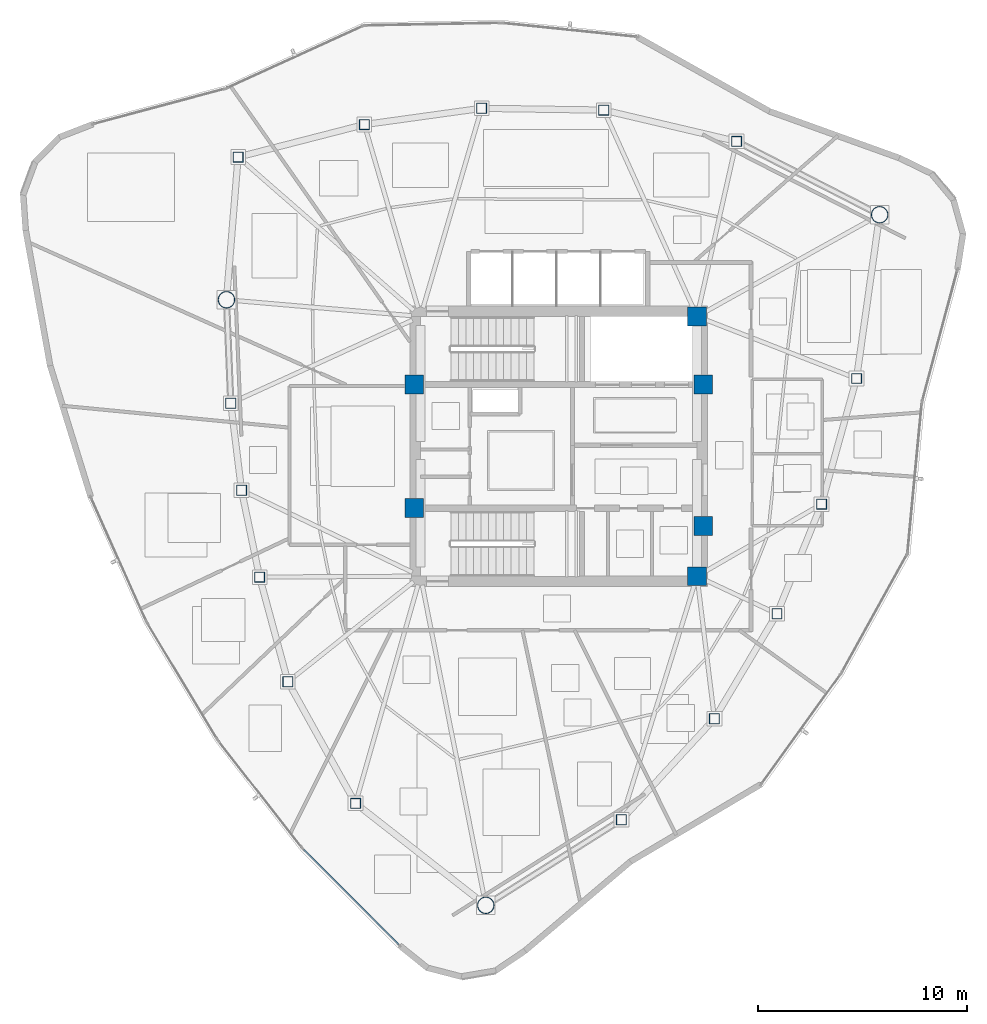
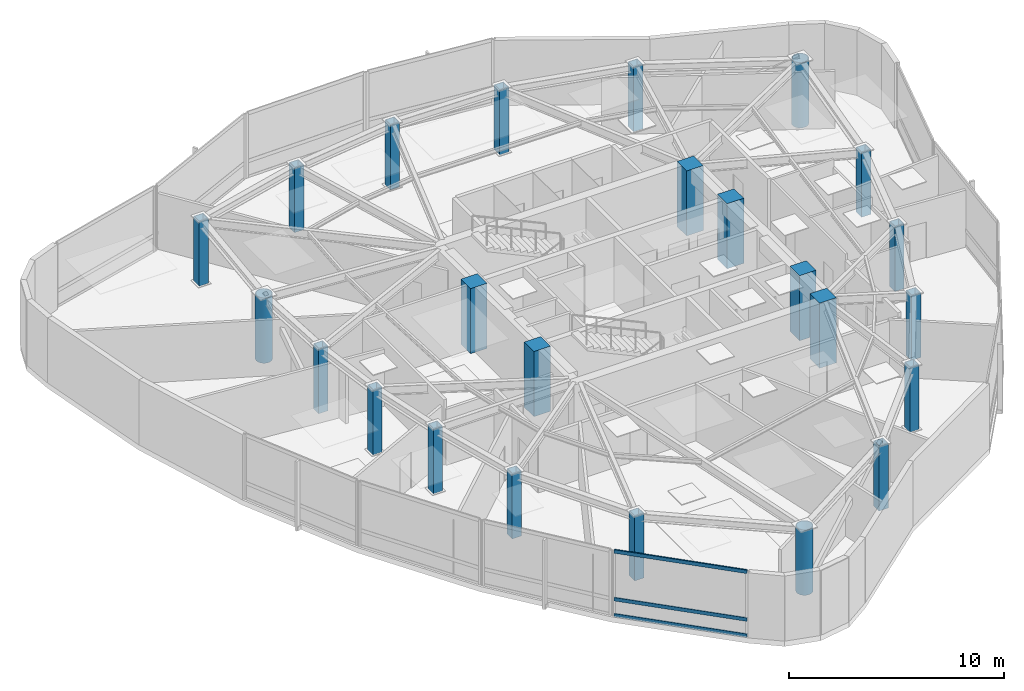
# One storey, part 1 of 12: 24 columns, 3 members, 1 element without a shape of its own.
"""IFC4 building model written with IfcOpenShell, lengths in metres."""

from ifc_helpers import new_model, si_unit, direction, frame, origin, origin_2d, place, context, subcontext, project, spatial, rectangle, hollow_rectangle, hollow_circle, extrude, source, transform, mapped, material, layer, layer_set, material_profile, profile_set, type_object, type_shapes, element, aggregate, save


model = new_model("IFC4")

# Units and contexts
model_context = context("Model", 3, precision=1e-05, world=origin(), true_north=direction((0.0, 1.0)))
body_context = subcontext(model_context, "Body", "Model", "MODEL_VIEW")
ifc_project = project(units=[si_unit("LENGTHUNIT", "METRE"), si_unit("AREAUNIT", "SQUARE_METRE"), si_unit("VOLUMEUNIT", "CUBIC_METRE"), si_unit("PLANEANGLEUNIT", "RADIAN"), si_unit("MASSUNIT", "GRAM", prefix="KILO")], contexts=[model_context])

# Site, building, storey
site_placement = place(None, origin())
site = spatial("IfcSite", under=ifc_project, at=site_placement, CompositionType="ELEMENT")
building_placement = place(site_placement, origin())
building = spatial("IfcBuilding", under=site, at=building_placement, Name="Tavelor Broadcast Tower", CompositionType="ELEMENT")
storey_placement = place(building_placement, frame((0.0, 0.0, 285.5)))
storey = spatial("IfcBuildingStorey", under=building, at=storey_placement, Name="L68", CompositionType="ELEMENT", Elevation=285.5)

# Columns
ifc_material_1 = material(Name="Concrete C50/60", Category="concrete")
ifc_material_profile_1 = material_profile(ifc_material_1, rectangle(XDim=0.89990234375, YDim=0.89990234375, at=origin_2d()), Name="RC 900x900")
ifc_profile_set_1 = profile_set([ifc_material_profile_1], Name="Concrete C50/60")
column_type_1 = type_object("IfcColumnType", Name="Core Embedded Composite Column RC900", PredefinedType="COLUMN", material=ifc_profile_set_1)
for number, where, z_axis, x_axis, name in (
    (1, (43.10009765625, 47.949951171875, 0.0), (0.0, 0.0, 1.0), (1.0, 0.0, 0.0), "L68 Core Embedded Column 1"),
    (2, (56.89990234375, 47.949951171875, 0.0), (0.0, 0.0, 1.0), (1.0, 0.0, 0.0), "L68 Core Embedded Column 2"),
    (3, (56.60009765625, 51.199951171875, 0.0), (0.0, 0.0, 1.0), (1.0, 0.0, 0.0), "L68 Core Embedded Column 3"),
    (4, (43.10009765625, 42.050048828125, 0.0), (0.0, 0.0, 1.0), (1.0, 0.0, 0.0), "L68 Core Embedded Column 4"),
    (5, (56.89990234375, 41.199951171875, 0.0), (0.0, 0.0, 1.0), (1.0, 0.0, 0.0), "L68 Core Embedded Column 5"),
    (6, (56.60009765625, 38.800048828125, 0.0), (0.0, 0.0, 1.0), (1.0, 0.0, 0.0), "L68 Core Embedded Column 6"),
):
    element("IfcColumn", number, at=place(storey_placement, frame(where, z_axis=z_axis, x_axis=x_axis)), inside=storey, type_object=column_type_1, Name=name, PredefinedType="COLUMN", context=body_context, shape_type="SweptSolid", body=[
        extrude(rectangle(XDim=0.89990234375, YDim=0.89990234375, at=origin_2d()), origin(), (0.0, 0.0, 1.0), 3.699951171875),
    ])
ifc_material_2 = material(Name="Steel S460", Category="steel")
ifc_material_profile_2 = material_profile(ifc_material_2, hollow_rectangle(XDim=0.5, YDim=0.5, WallThickness=0.030029296875, at=origin_2d()), Name="SHS 500x500x30")
ifc_profile_set_2 = profile_set([ifc_material_profile_2], Name="Steel S460")
column_type_2 = type_object("IfcColumnType", Name="Perimeter Tube Column T7 SHS 500x500x30", PredefinedType="COLUMN", material=ifc_profile_set_2)
for number, where, z_axis, x_axis, name in (
    (7, (34.341552734375, 47.061279296875, 0.0), (0.0, 0.0, 1.0), (1.0, 0.0, 0.0), "L68 Perimeter Framed-Tube Column 02"),
    (8, (34.85400390625, 42.90185546875, 0.0), (0.0, 0.0, 1.0), (1.0, 0.0, 0.0), "L68 Perimeter Framed-Tube Column 03"),
    (9, (35.716552734375, 38.757080078125, 0.0), (0.0, 0.0, 1.0), (1.0, 0.0, 0.0), "L68 Perimeter Framed-Tube Column 04"),
    (10, (37.068115234375, 33.759521484375, 0.0), (0.0, 0.0, 1.0), (1.0, 0.0, 0.0), "L68 Perimeter Framed-Tube Column 05"),
    (11, (40.29638671875, 27.95361328125, 0.0), (0.0, 0.0, 1.0), (1.0, 0.0, 0.0), "L68 Perimeter Framed-Tube Column 06"),
    (12, (52.992919921875, 27.1767578125, 0.0), (0.0, 0.0, 1.0), (1.0, 0.0, 0.0), "L68 Perimeter Framed-Tube Column 08"),
    (13, (57.431396484375, 31.9921875, 0.0), (0.0, 0.0, 1.0), (1.0, 0.0, 0.0), "L68 Perimeter Framed-Tube Column 09"),
    (14, (60.41748046875, 37.00439453125, 0.0), (0.0, 0.0, 1.0), (1.0, 0.0, 0.0), "L68 Perimeter Framed-Tube Column 10"),
    (15, (62.543701171875, 42.240478515625, 0.0), (0.0, 0.0, 1.0), (1.0, 0.0, 0.0), "L68 Perimeter Framed-Tube Column 11"),
    (16, (64.21435546875, 48.2373046875, 0.0), (0.0, 0.0, 1.0), (1.0, 0.0, 0.0), "L68 Perimeter Framed-Tube Column 12"),
    (17, (58.485595703125, 59.55712890625, 0.0), (0.0, 0.0, 1.0), (1.0, 0.0, 0.0), "L68 Perimeter Framed-Tube Column 14"),
    (18, (52.147216796875, 61.05078125, 0.0), (0.0, 0.0, 1.0), (1.0, 0.0, 0.0), "L68 Perimeter Framed-Tube Column 15"),
    (19, (46.3154296875, 61.13720703125, 0.0), (0.0, 0.0, 1.0), (1.0, 0.0, 0.0), "L68 Perimeter Framed-Tube Column 16"),
    (20, (40.718017578125, 60.36083984375, 0.0), (0.0, 0.0, 1.0), (1.0, 0.0, 0.0), "L68 Perimeter Framed-Tube Column 17"),
    (21, (34.689208984375, 58.80908203125, 0.0), (0.0, 0.0, 1.0), (1.0, 0.0, 0.0), "L68 Perimeter Framed-Tube Column 18"),
):
    element("IfcColumn", number, at=place(storey_placement, frame(where, z_axis=z_axis, x_axis=x_axis)), inside=storey, type_object=column_type_2, Name=name, PredefinedType="COLUMN", context=body_context, shape_type="SweptSolid", body=[
        extrude(hollow_rectangle(XDim=0.5, YDim=0.5, WallThickness=0.030029296875, at=origin_2d()), origin(), (0.0, 0.0, 1.0), 3.699951171875),
    ])
ifc_material_profile_3 = material_profile(ifc_material_2, hollow_circle(Radius=0.406494140625, WallThickness=0.035888671875, at=origin_2d()), Name="CHS 813x36")
ifc_profile_set_3 = profile_set([ifc_material_profile_3], Name="Steel S460")
column_type_3 = type_object("IfcColumnType", Name="Tower Mega Column T7 CHS 813x36", PredefinedType="COLUMN", material=ifc_profile_set_3)
for number, where, z_axis, x_axis, name in (
    (22, (34.134765625, 51.995849609375, 0.0), (0.0, 0.0, 1.0), (1.0, 0.0, 0.0), "L68 Tower Corner Mega Column 01"),
    (23, (46.5146484375, 23.08740234375, 0.0), (0.0, 0.0, 1.0), (1.0, 0.0, 0.0), "L68 Tower Corner Mega Column 07"),
    (24, (65.319580078125, 56.0556640625, 0.0), (0.0, 0.0, 1.0), (1.0, 0.0, 0.0), "L68 Tower Corner Mega Column 13"),
):
    element("IfcColumn", number, at=place(storey_placement, frame(where, z_axis=z_axis, x_axis=x_axis)), inside=storey, type_object=column_type_3, Name=name, PredefinedType="COLUMN", context=body_context, shape_type="SweptSolid", body=[
        extrude(hollow_circle(Radius=0.406494140625, WallThickness=0.035888671875, at=origin_2d()), origin(), (0.0, 0.0, 1.0), 3.699951171875),
    ])

# Curtain wall, members
ifc_material_3 = material(Name="Architectural Anodized Aluminium", Category="aluminium")
ifc_layer = layer(ifc_material_3, 0.199951171875)
ifc_layer_set = layer_set([ifc_layer], Name="Architectural Anodized Aluminium")
curtain_wall_type = type_object("IfcCurtainWallType", Name="Tower High-Zone Triple-Glazed Curtain Wall CW04", PredefinedType="NOTDEFINED", material=ifc_layer_set)
curtain_wall_placement = place(storey_placement, origin())
curtain_wall = element("IfcCurtainWall", 25, at=curtain_wall_placement, inside=storey, type_object=curtain_wall_type, Name="L68 Curtain Wall CW04 Run 748", PredefinedType="NOTDEFINED")
ifc_material_profile_4 = material_profile(ifc_material_3, hollow_rectangle(XDim=0.070068359375, YDim=0.199951171875, WallThickness=0.02197265625, at=origin_2d()), Name="RHS 70x200x22")
ifc_profile_set_4 = profile_set([ifc_material_profile_4], Name="Architectural Anodized Aluminium")
member_type = type_object("IfcMemberType", Name="CW04 Extruded Aluminium Transom 70x200", PredefinedType="USERDEFINED", material=ifc_profile_set_4)
shared_shape = source(origin(), body_context, "Body", "SweptSolid", [
    extrude(hollow_rectangle(XDim=0.070068359375, YDim=0.199951171875, WallThickness=0.02197265625, at=origin_2d()), origin(), (0.0, 0.0, 1.0), 6.41064453125),
])
type_shapes(member_type, [shared_shape])
member_1_placement = place(storey_placement, frame((37.8251953125, 25.745361328125, 0.034912109375), z_axis=(0.70682110075, -0.707392346251, 0.0), x_axis=(0.707392346251, 0.70682110075, 0.0)))
member_1 = element("IfcMember", 26, at=member_1_placement, type_object=member_type, Name="CW04 transom 1.1", ObjectType="TRANSOM", PredefinedType="USERDEFINED", context=body_context, shape_type="MappedRepresentation", body=[
    mapped(shared_shape, transform((0.0, 0.0, 0.0), scale=1.0)),
])
member_2_placement = place(storey_placement, frame((37.8251953125, 25.745361328125, 0.949951171875), z_axis=(0.70682110075, -0.707392346251, 0.0), x_axis=(0.707392346251, 0.70682110075, 0.0)))
member_2 = element("IfcMember", 27, at=member_2_placement, type_object=member_type, Name="CW04 transom 1.2", ObjectType="TRANSOM", PredefinedType="USERDEFINED", context=body_context, shape_type="MappedRepresentation", body=[
    mapped(shared_shape, transform((0.0, 0.0, 0.0), scale=1.0)),
])
member_3_placement = place(storey_placement, frame((37.8251953125, 25.745361328125, 3.6650390625), z_axis=(0.70682110075, -0.707392346251, 0.0), x_axis=(0.707392346251, 0.70682110075, 0.0)))
member_3 = element("IfcMember", 28, at=member_3_placement, type_object=member_type, Name="CW04 transom 1.3", ObjectType="TRANSOM", PredefinedType="USERDEFINED", context=body_context, shape_type="MappedRepresentation", body=[
    mapped(shared_shape, transform((0.0, 0.0, 0.0), scale=1.0)),
])
aggregate(curtain_wall, [member_1, member_2, member_3])

save(model, "model.ifc")
